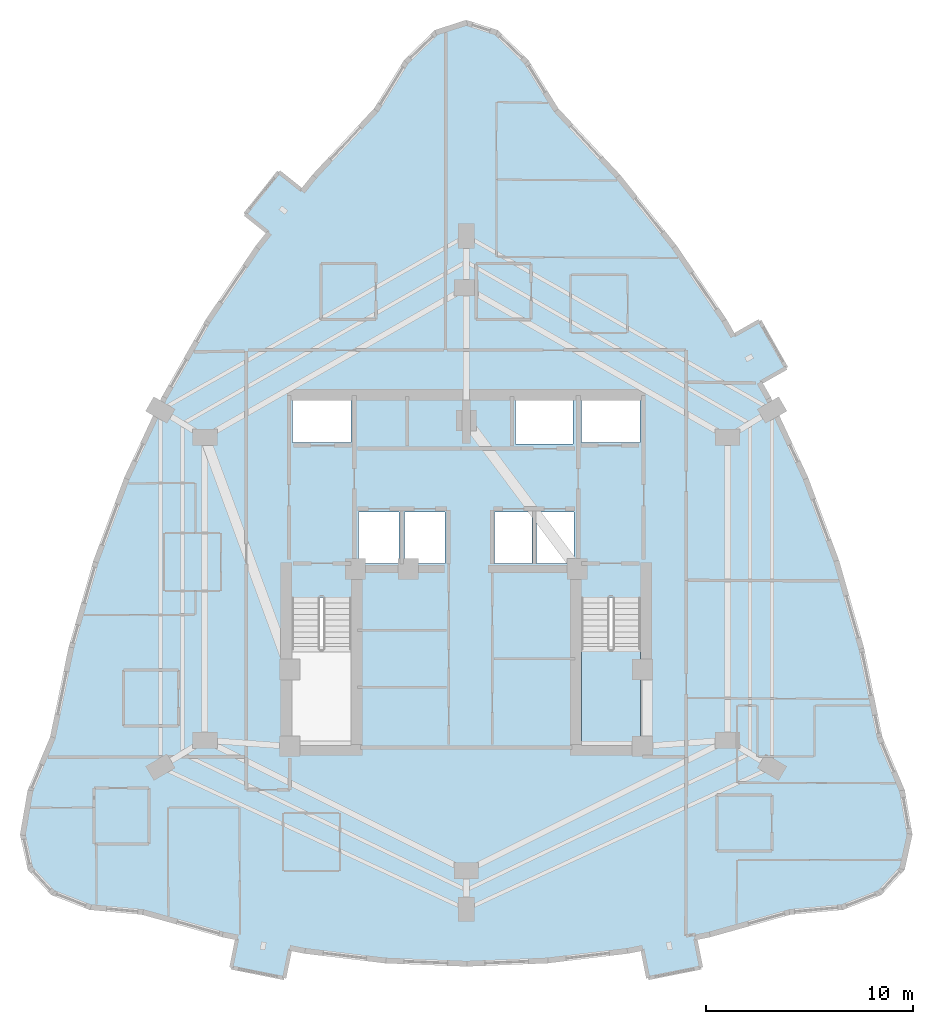
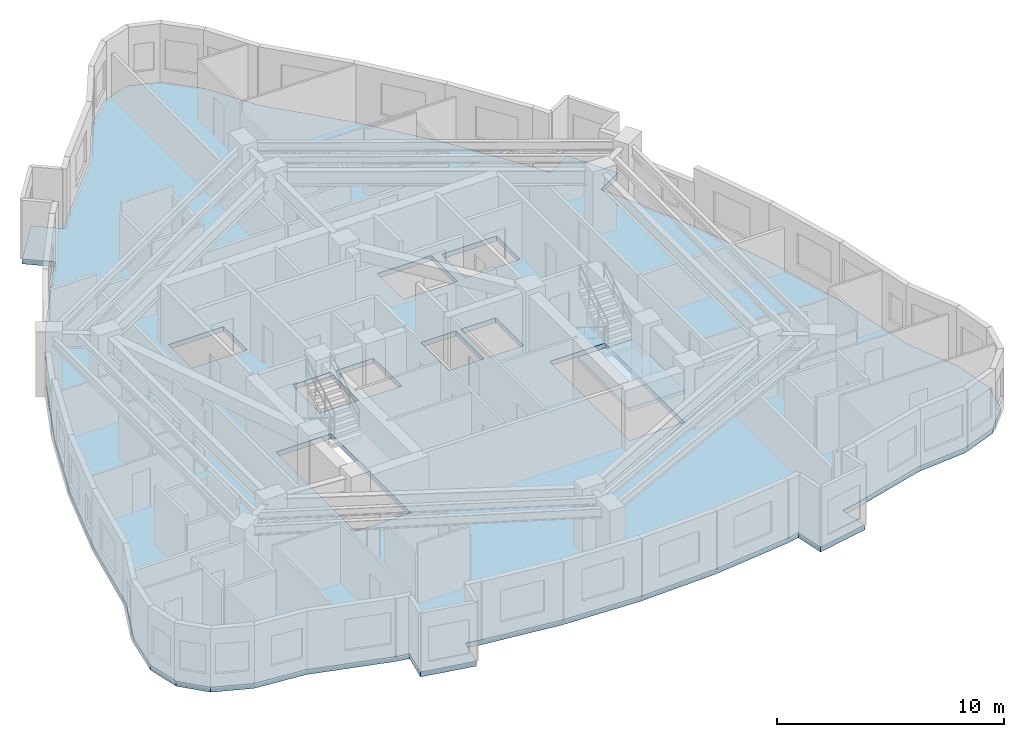
# One storey, part 3 of 11: 2 slabs, 1 element without a shape of its own.
"""IFC4 building model written with IfcOpenShell, lengths in metres."""

from ifc_helpers import new_model, si_unit, direction, frame, origin, place, context, subcontext, project, spatial, polyline, outline, extrude, material, layer, layer_set, type_object, element, aggregate, save


model = new_model("IFC4")

# Units and contexts
model_context = context("Model", 3, precision=1e-05, world=origin(), true_north=direction((0.0, 1.0)))
body_context = subcontext(model_context, "Body", "Model", "MODEL_VIEW")
ifc_project = project(units=[si_unit("LENGTHUNIT", "METRE"), si_unit("AREAUNIT", "SQUARE_METRE"), si_unit("VOLUMEUNIT", "CUBIC_METRE"), si_unit("PLANEANGLEUNIT", "RADIAN"), si_unit("MASSUNIT", "GRAM", prefix="KILO")], contexts=[model_context])

# Site, building, storey
site_placement = place(None, origin())
site = spatial("IfcSite", under=ifc_project, at=site_placement, CompositionType="ELEMENT")
building_placement = place(site_placement, origin())
building = spatial("IfcBuilding", under=site, at=building_placement, Name="Miruveldt Soraemaru", CompositionType="ELEMENT")
storey_placement = place(building_placement, frame((0.0, 0.0, 156.39990234375)))
storey = spatial("IfcBuildingStorey", under=building, at=storey_placement, Name="L43", CompositionType="ELEMENT", Elevation=156.39990234375)

# Stair, slab
ifc_material = material(Name="Concrete C40/50 (40 MPa)", Category="concrete")
stair_type = type_object("IfcStairType", Name="STAIR-DL-350", PredefinedType="HALF_TURN_STAIR", material=ifc_material)
stair_placement = place(storey_placement, origin())
stair = element("IfcStair", 1, at=stair_placement, inside=storey, type_object=stair_type, Name="L43 Protected Exit Stair ST-2", PredefinedType="HALF_TURN_STAIR")
ifc_layer_1 = layer(ifc_material, 0.199951171875, Name="Concrete C40/50 (40 MPa)", Category="concrete")
ifc_layer_set_1 = layer_set([ifc_layer_1], Name="Concrete C40/50 (40 MPa)")
slab_type_1 = type_object("IfcSlabType", Name="SLAB-LAND-200", PredefinedType="LANDING", material=ifc_layer_set_1)
slab_1_placement = place(storey_placement, frame((0.0, 0.0, 1.550048828125)))
slab_1 = element("IfcSlab", 2, at=slab_1_placement, type_object=slab_type_1, Name="ST-2 landing 1", PredefinedType="LANDING", context=body_context, shape_type="SweptSolid", body=[
    extrude(outline(polyline([(49.550048828125, 40.197998046875), (49.550048828125, 35.64990234375), (52.39990234375, 35.64990234375), (52.39990234375, 40.197998046875), (49.550048828125, 40.197998046875)])), origin(), (0.0, 0.0, 1.0), 0.199951171875),
])
aggregate(stair, [slab_1])

# Slab
ifc_layer_2 = layer(ifc_material, 0.264892578125, Name="Concrete C40/50 (40 MPa)", Category="concrete")
ifc_layer_set_2 = layer_set([ifc_layer_2], Name="Concrete C40/50 (40 MPa)")
slab_type_2 = type_object("IfcSlabType", Name="SLAB-RES2-265", PredefinedType="FLOOR", material=ifc_layer_set_2)
slab_2_placement = place(storey_placement, frame((0.0, 0.0, -0.264892578125)))
element("IfcSlab", 3, at=slab_2_placement, inside=storey, type_object=slab_type_2, Name="L43 Structural Floor Slab", PredefinedType="FLOOR", context=body_context, shape_type="SweptSolid", body=[
    extrude(outline(polyline([(32.680908203125, 24.8408203125), (32.97119140625, 26.292236328125), (32.294921875, 26.427490234375), (28.393310546875, 27.519775390625), (25.872802734375, 27.752685546875), (24.072265625, 28.451171875), (22.991943359375, 29.615478515625), (22.6318359375, 31.245361328125), (22.991943359375, 33.341064453125), (24.072265625, 35.90234375), (24.96337890625, 40.233154296875), (26.1572265625, 44.40771484375), (27.654052734375, 48.42626953125), (29.45361328125, 52.28857421875), (31.5556640625, 55.9951171875), (33.960693359375, 59.54541015625), (35.314697265625, 61.242431640625), (34.50390625, 60.226318359375), (33.3466796875, 61.149169921875), (34.96826171875, 63.181640625), (36.125244140625, 62.258544921875), (36.66845703125, 62.939453125), (39.6787109375, 66.177734375), (41.119140625, 68.506103515625), (42.5595703125, 69.9033203125), (44.0, 70.368896484375), (45.4404296875, 69.9033203125), (46.880859375, 68.506103515625), (48.3212890625, 66.177734375), (51.33154296875, 62.939453125), (54.039306640625, 59.54541015625), (56.4443359375, 55.9951171875), (56.85400390625, 55.272705078125), (58.141357421875, 56.002685546875), (59.424072265625, 53.7412109375), (58.13671875, 53.010986328125), (57.495361328125, 54.141845703125), (58.54638671875, 52.28857421875), (60.345947265625, 48.42626953125), (61.8427734375, 44.40771484375), (63.03662109375, 40.233154296875), (63.927734375, 35.90234375), (65.008056640625, 33.341064453125), (65.3681640625, 31.245361328125), (65.008056640625, 29.615478515625), (63.927734375, 28.451171875), (62.127197265625, 27.752685546875), (59.606689453125, 27.519775390625), (55.705078125, 26.427490234375), (55.02880859375, 26.292236328125), (55.319091796875, 24.8408203125), (52.769775390625, 24.330810546875), (52.4794921875, 25.7822265625), (53.754150390625, 26.037109375), (51.80322265625, 25.64697265625), (47.901611328125, 25.1787109375), (44.0, 25.022705078125), (40.098388671875, 25.1787109375), (36.19677734375, 25.64697265625), (34.245849609375, 26.037109375), (35.5205078125, 25.7822265625), (35.230224609375, 24.330810546875), (32.680908203125, 24.8408203125)]), holes=[polyline([(35.614990234375, 35.6650390625), (38.43505859375, 35.6650390625), (38.43505859375, 42.68505859375), (35.614990234375, 42.68505859375), (35.614990234375, 35.6650390625)]), polyline([(49.56494140625, 35.6650390625), (52.385009765625, 35.6650390625), (52.385009765625, 42.68505859375), (49.56494140625, 42.68505859375), (49.56494140625, 35.6650390625)]), polyline([(40.764892578125, 44.31494140625), (40.764892578125, 46.784912109375), (38.81494140625, 46.784912109375), (38.81494140625, 44.31494140625), (40.764892578125, 44.31494140625)]), polyline([(42.965087890625, 44.31494140625), (42.965087890625, 46.784912109375), (41.034912109375, 46.784912109375), (41.034912109375, 44.31494140625), (42.965087890625, 44.31494140625)]), polyline([(47.1650390625, 44.31494140625), (47.1650390625, 46.784912109375), (45.364990234375, 46.784912109375), (45.364990234375, 44.31494140625), (47.1650390625, 44.31494140625)]), polyline([(49.18505859375, 44.31494140625), (49.18505859375, 46.784912109375), (47.39501953125, 46.784912109375), (47.39501953125, 44.31494140625), (49.18505859375, 44.31494140625)]), polyline([(38.445068359375, 50.135009765625), (38.445068359375, 52.205078125), (35.635009765625, 52.205078125), (35.635009765625, 50.135009765625), (38.445068359375, 50.135009765625)]), polyline([(49.554931640625, 50.135009765625), (52.364990234375, 50.135009765625), (52.364990234375, 52.205078125), (49.554931640625, 52.205078125), (49.554931640625, 50.135009765625)]), polyline([(46.364990234375, 50.06494140625), (49.135009765625, 50.06494140625), (49.135009765625, 52.3349609375), (46.364990234375, 52.3349609375), (46.364990234375, 50.06494140625)])]), origin(), (0.0, 0.0, 1.0), 0.264892578125),
])

save(model, "model.ifc")
